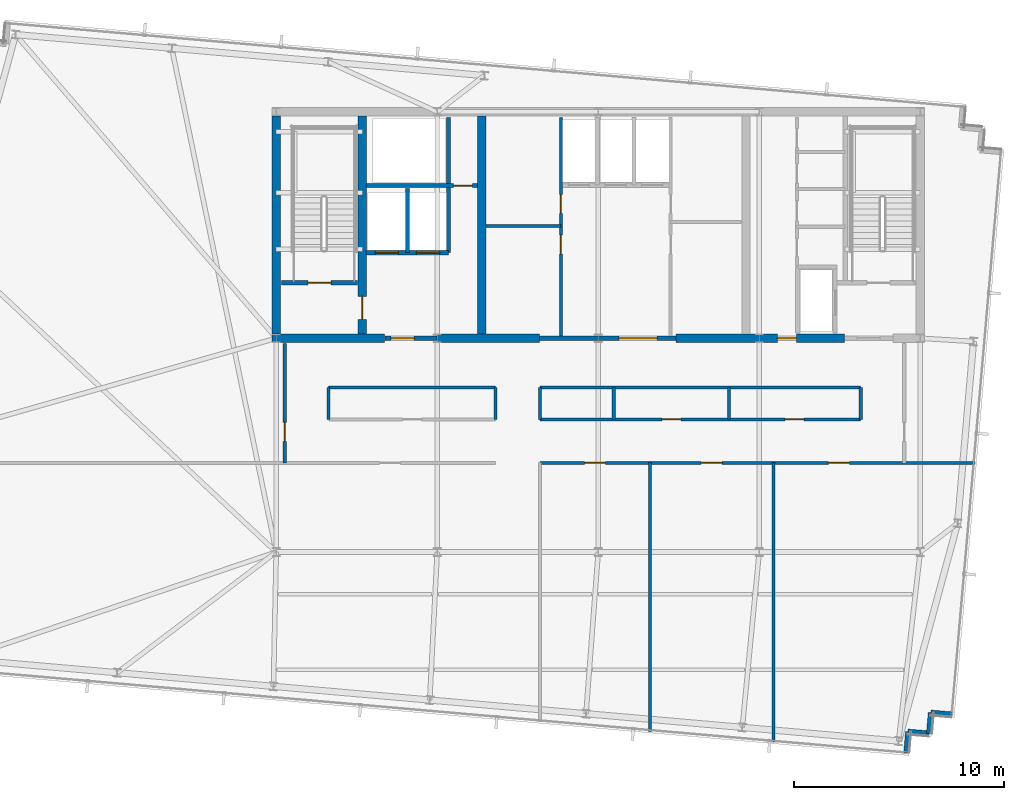
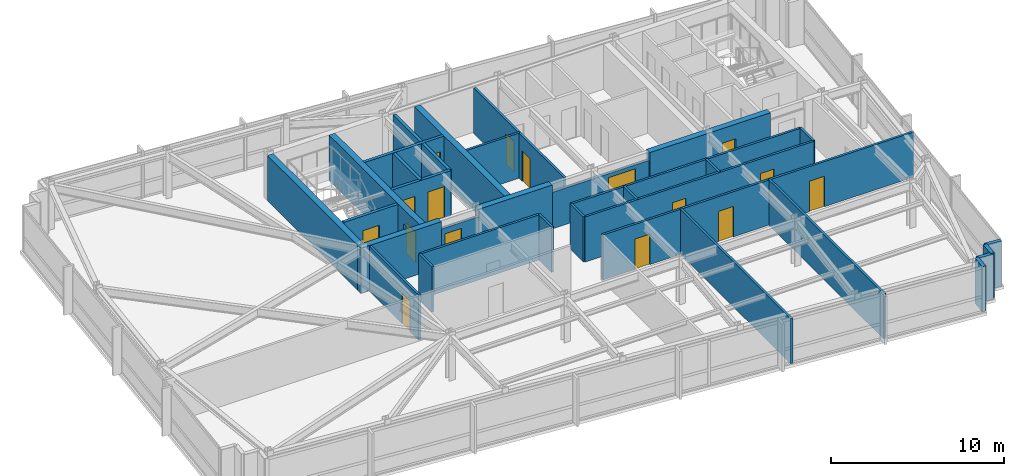
# One storey, part 18 of 24: 32 walls, 16 doors, 16 openings.
"""IFC4 building model written with IfcOpenShell, lengths in metres."""

from ifc_helpers import new_model, si_unit, direction, frame, frame_2d, origin, place, context, subcontext, project, spatial, rectangle, extrude, material, layer, layer_set, type_object, element, fill, save


model = new_model("IFC4")

# Units and contexts
model_context = context("Model", 3, precision=1e-05, world=origin(), true_north=direction((0.0, 1.0)))
body_context = subcontext(model_context, "Body", "Model", "MODEL_VIEW")
ifc_project = project(units=[si_unit("LENGTHUNIT", "METRE"), si_unit("AREAUNIT", "SQUARE_METRE"), si_unit("VOLUMEUNIT", "CUBIC_METRE"), si_unit("PLANEANGLEUNIT", "RADIAN"), si_unit("MASSUNIT", "GRAM", prefix="KILO")], contexts=[model_context])

# Site, building, storey
site_placement = place(None, origin())
site = spatial("IfcSite", under=ifc_project, at=site_placement, CompositionType="ELEMENT")
building_placement = place(site_placement, origin())
building = spatial("IfcBuilding", under=site, at=building_placement, Name="Yelkora Congress Tower", CompositionType="ELEMENT")
storey_placement = place(building_placement, frame((0.0, 0.0, 296.5)))
storey = spatial("IfcBuildingStorey", under=building, at=storey_placement, Name="L83", CompositionType="ELEMENT", Elevation=296.5)

# Walls
ifc_material_1 = material(Name="Concrete C50/60", Category="concrete")
ifc_layer_1 = layer(ifc_material_1, 0.39990234375)
ifc_layer_set_1 = layer_set([ifc_layer_1], Name="Concrete C50/60")
wall_type_1 = type_object("IfcWallType", Name="WALL-CORE-INT-400", PredefinedType="SHEAR", material=ifc_layer_set_1)
wall_1_placement = place(storey_placement, frame((22.840087890625, 35.39990234375, 0.0), z_axis=(0.0, 0.0, 1.0), x_axis=(1.0, 0.0, 0.0)))
element("IfcWall", 1, at=wall_1_placement, inside=storey, type_object=wall_type_1, Name="L83 Rear Core South-West Shear Wall", PredefinedType="SHEAR", context=body_context, shape_type="SweptSolid", body=[
    extrude(rectangle(XDim=5.35986328125, YDim=0.39990234375, at=frame_2d((2.679931640625, 0.0))), origin(), (0.0, 0.0, 1.0), 3.179931640625),
])
wall_2_placement = place(storey_placement, frame((30.719970703125, 35.39990234375, 0.0), z_axis=(0.0, 0.0, 1.0), x_axis=(1.0, 0.0, 0.0)))
element("IfcWall", 2, at=wall_2_placement, inside=storey, type_object=wall_type_1, Name="L83 Rear Core South-Center Shear Pier", PredefinedType="SHEAR", context=body_context, shape_type="SweptSolid", body=[
    extrude(rectangle(XDim=4.880126953125, YDim=0.39990234375, at=frame_2d((2.43994140625, 0.0))), origin(), (0.0, 0.0, 1.0), 3.179931640625),
])

# Wall, opening, door
wall_3_placement = place(storey_placement, frame((42.10009765625, 35.39990234375, 0.0), z_axis=(0.0, 0.0, 1.0), x_axis=(1.0, 0.0, 0.0)))
wall_3 = element("IfcWall", 3, at=wall_3_placement, inside=storey, type_object=wall_type_1, Name="L83 Rear Core South-East Shear Wall A", PredefinedType="SHEAR", context=body_context, shape_type="SweptSolid", body=[
    extrude(rectangle(XDim=8.0498046875, YDim=0.39990234375, at=frame_2d((4.02490234375, 0.0))), origin(), (0.0, 0.0, 1.0), 3.179931640625),
])
opening_1_placement = place(wall_3_placement, frame((4.85009765625, 0.0, 0.0)))
opening_1 = element("IfcOpeningElement", 4, at=opening_1_placement, cuts=wall_3, Name="Opening DR-090F6", PredefinedType="OPENING", context=body_context, shape_type="SweptSolid", body=[
    extrude(rectangle(XDim=0.89990234375, YDim=2.14990234375, at=frame_2d((0.449951171875, 1.074951171875))), frame((0.0, 0.2099609375, 0.0), z_axis=(0.0, -1.0, 0.0), x_axis=(1.0, 0.0, 0.0)), (0.0, 0.0, 1.0), 0.419921875),
])
ifc_material_2 = material(Name="Painted steel riser fire door leaf", Category="steel")
door_type_1 = type_object("IfcDoorType", Name="DOOR-FD60-900", OperationType="NOTDEFINED", PredefinedType="DOOR", material=ifc_material_2)
door_1_placement = place(opening_1_placement, origin())
door_1 = element("IfcDoor", 5, at=door_1_placement, inside=storey, type_object=door_type_1, Name="L83 Core Washroom Lobby Door", OperationType="SINGLE_SWING_RIGHT", OverallHeight=2.14990234375, OverallWidth=0.89990234375, PredefinedType="DOOR", context=body_context, shape_type="SweptSolid", body=[
    extrude(rectangle(XDim=0.89990234375, YDim=2.14990234375, at=frame_2d((0.449951171875, 1.074951171875))), frame((0.0, 0.02490234375, 0.0), z_axis=(0.0, -1.0, 0.0), x_axis=(1.0, 0.0, 0.0)), (0.0, 0.0, 1.0), 0.050048828125),
])
fill(opening_1, door_1)

# Wall
wall_4_placement = place(storey_placement, frame((23.0400390625, 35.60009765625, 0.0), z_axis=(0.0, 0.0, 1.0), x_axis=(0.0, 1.0, 0.0)))
element("IfcWall", 6, at=wall_4_placement, inside=storey, type_object=wall_type_1, Name="L83 Rear Core Cross Shear Wall W", PredefinedType="SHEAR", context=body_context, shape_type="SweptSolid", body=[
    extrude(rectangle(XDim=10.39990234375, YDim=0.39990234375, at=frame_2d((5.199951171875, 0.0))), origin(), (0.0, 0.0, 1.0), 3.179931640625),
])

# Wall, opening, door
wall_5_placement = place(storey_placement, frame((27.14990234375, 35.60009765625, 0.0), z_axis=(0.0, 0.0, 1.0), x_axis=(0.0, 1.0, 0.0)))
wall_5 = element("IfcWall", 7, at=wall_5_placement, inside=storey, type_object=wall_type_1, Name="L83 Rear Core Cross Shear Wall C1", PredefinedType="SHEAR", context=body_context, shape_type="SweptSolid", body=[
    extrude(rectangle(XDim=10.39990234375, YDim=0.39990234375, at=frame_2d((5.199951171875, 0.0))), origin(), (0.0, 0.0, 1.0), 3.179931640625),
])
opening_2_placement = place(wall_5_placement, frame((0.699951171875, 0.0, 0.0)))
opening_2 = element("IfcOpeningElement", 8, at=opening_2_placement, cuts=wall_5, Name="Opening DR-110F9", PredefinedType="OPENING", context=body_context, shape_type="SweptSolid", body=[
    extrude(rectangle(XDim=1.10009765625, YDim=2.14990234375, at=frame_2d((0.550048828125, 1.074951171875))), frame((0.0, 0.2099609375, 0.0), z_axis=(0.0, -1.0, 0.0), x_axis=(1.0, 0.0, 0.0)), (0.0, 0.0, 1.0), 0.419921875),
])
ifc_material_3 = material(Name="Galvanised steel fire door leaf", Category="steel")
door_type_2 = type_object("IfcDoorType", Name="DOOR-FD90-1100", OperationType="NOTDEFINED", PredefinedType="DOOR", material=ifc_material_3)
door_2_placement = place(opening_2_placement, origin())
door_2 = element("IfcDoor", 9, at=door_2_placement, inside=storey, type_object=door_type_2, Name="L83 Firefighting Stair Transfer Door", OperationType="SINGLE_SWING_LEFT", OverallHeight=2.14990234375, OverallWidth=1.10009765625, PredefinedType="DOOR", context=body_context, shape_type="SweptSolid", body=[
    extrude(rectangle(XDim=1.10009765625, YDim=2.14990234375, at=frame_2d((0.550048828125, 1.074951171875))), frame((0.0, 0.02490234375, 0.0), z_axis=(0.0, -1.0, 0.0), x_axis=(1.0, 0.0, 0.0)), (0.0, 0.0, 1.0), 0.050048828125),
])
fill(opening_2, door_2)

# Walls
wall_6_placement = place(storey_placement, frame((32.85009765625, 35.60009765625, 0.0), z_axis=(0.0, 0.0, 1.0), x_axis=(0.0, 1.0, 0.0)))
element("IfcWall", 10, at=wall_6_placement, inside=storey, type_object=wall_type_1, Name="L83 Rear Core Cross Shear Wall C2", PredefinedType="SHEAR", context=body_context, shape_type="SweptSolid", body=[
    extrude(rectangle(XDim=10.39990234375, YDim=0.39990234375, at=frame_2d((5.199951171875, 0.0))), origin(), (0.0, 0.0, 1.0), 3.179931640625),
])
ifc_material_4 = material(Name="Concrete C40/50", Category="concrete")
ifc_layer_2 = layer(ifc_material_4, 0.239990234375)
ifc_layer_set_2 = layer_set([ifc_layer_2], Name="Concrete C40/50")
wall_type_2 = type_object("IfcWallType", Name="WALL-EXT-LIMESTONE-240", PredefinedType="SOLIDWALL", material=ifc_layer_set_2)
for number, where, z_axis, x_axis, name in (
    (11, (55.2578125, 17.458740234375, 0.0), (0.0, 0.0, 1.0), (-0.996193717496, 0.087166950281, 0.0), "L83 Serrated Corner Limestone Pier 16"),
    (12, (54.26171875, 17.5458984375, 0.0), (0.0, 0.0, 1.0), (-0.087166950281, -0.996193717496, 0.0), "L83 Serrated Corner Limestone Pier 17"),
):
    element("IfcWall", number, at=place(storey_placement, frame(where, z_axis=z_axis, x_axis=x_axis)), inside=storey, type_object=wall_type_2, Name=name, PredefinedType="SOLIDWALL", context=body_context, shape_type="SweptSolid", body=[
        extrude(rectangle(XDim=1.0, YDim=0.239990234375, at=frame_2d((0.5, 0.0))), origin(), (0.0, 0.0, 1.0), 3.179931640625),
    ])
for number, where, z_axis, x_axis, name in (
    (13, (54.174560546875, 16.5498046875, 0.0), (0.0, 0.0, 1.0), (-0.996195572005, 0.087145753297, 0.0), "L83 Serrated Corner Limestone Pier 18"),
    (14, (53.17822265625, 16.636962890625, 0.0), (0.0, 0.0, 1.0), (-0.087145753297, -0.996195572005, 0.0), "L83 Serrated Corner Limestone Pier 19"),
):
    element("IfcWall", number, at=place(storey_placement, frame(where, z_axis=z_axis, x_axis=x_axis)), inside=storey, type_object=wall_type_2, Name=name, PredefinedType="SOLIDWALL", context=body_context, shape_type="SweptSolid", body=[
        extrude(rectangle(XDim=1.000244140625, YDim=0.239990234375, at=frame_2d((0.5, 0.0))), origin(), (0.0, 0.0, 1.0), 3.179931640625),
    ])
ifc_material_5 = material(Name="Acoustic metal-stud gypsum partition", Category="gypsum")
ifc_layer_3 = layer(ifc_material_5, 0.14990234375)
ifc_layer_set_3 = layer_set([ifc_layer_3], Name="Acoustic metal-stud gypsum partition")
wall_type_3 = type_object("IfcWallType", Name="WALL-INT-150-NR", PredefinedType="PARTITIONING", material=ifc_layer_set_3)
wall_7_placement = place(storey_placement, frame((40.862060546875, 16.650390625, 0.0), z_axis=(0.0, 0.0, 1.0), x_axis=(0.0, 1.0, 0.0)))
element("IfcWall", 15, at=wall_7_placement, inside=storey, type_object=wall_type_3, Name="L83 Partition Wall 25", PredefinedType="PARTITIONING", context=body_context, shape_type="SweptSolid", body=[
    extrude(rectangle(XDim=12.819580078125, YDim=0.14990234375, at=frame_2d((6.40966796875, 0.0))), origin(), (0.0, 0.0, 1.0), 3.179931640625),
])
wall_8_placement = place(storey_placement, frame((46.760986328125, 16.13427734375, 0.0), z_axis=(0.0, 0.0, 1.0), x_axis=(0.0, 1.0, 0.0)))
element("IfcWall", 16, at=wall_8_placement, inside=storey, type_object=wall_type_3, Name="L83 Partition Wall 26", PredefinedType="PARTITIONING", context=body_context, shape_type="SweptSolid", body=[
    extrude(rectangle(XDim=13.335693359375, YDim=0.14990234375, at=frame_2d((6.66796875, 0.0))), origin(), (0.0, 0.0, 1.0), 3.179931640625),
])

# Wall, openings, doors
wall_9_placement = place(storey_placement, frame((35.6201171875, 29.449951171875, 0.0), z_axis=(0.0, 0.0, 1.0), x_axis=(1.0, 0.0, 0.0)))
wall_9 = element("IfcWall", 17, at=wall_9_placement, inside=storey, type_object=wall_type_3, Name="L83 South Spine Wall East", PredefinedType="PARTITIONING", context=body_context, shape_type="SweptSolid", body=[
    extrude(rectangle(XDim=20.7470703125, YDim=0.14990234375, at=frame_2d((10.37353515625, 0.0))), origin(), (0.0, 0.0, 1.0), 3.179931640625),
])
opening_3_placement = place(wall_9_placement, frame((2.1259765625, 0.0, 0.0)))
opening_3 = element("IfcOpeningElement", 18, at=opening_3_placement, cuts=wall_9, Name="Opening DR-100N", PredefinedType="OPENING", context=body_context, shape_type="SweptSolid", body=[
    extrude(rectangle(XDim=1.0, YDim=2.14990234375, at=frame_2d((0.5, 1.074951171875))), frame((0.0, 0.0849609375, 0.0), z_axis=(0.0, -1.0, 0.0), x_axis=(1.0, 0.0, 0.0)), (0.0, 0.0, 1.0), 0.169921875),
])
opening_4_placement = place(wall_9_placement, frame((7.69140625, 0.0, 0.0)))
opening_4 = element("IfcOpeningElement", 19, at=opening_4_placement, cuts=wall_9, Name="Opening DR-100N", PredefinedType="OPENING", context=body_context, shape_type="SweptSolid", body=[
    extrude(rectangle(XDim=1.0, YDim=2.14990234375, at=frame_2d((0.5, 1.074951171875))), frame((0.0, 0.0849609375, 0.0), z_axis=(0.0, -1.0, 0.0), x_axis=(1.0, 0.0, 0.0)), (0.0, 0.0, 1.0), 0.169921875),
])
opening_5_placement = place(wall_9_placement, frame((13.760498046875, 0.0, 0.0)))
opening_5 = element("IfcOpeningElement", 20, at=opening_5_placement, cuts=wall_9, Name="Opening DR-100N", PredefinedType="OPENING", context=body_context, shape_type="SweptSolid", body=[
    extrude(rectangle(XDim=1.0, YDim=2.14990234375, at=frame_2d((0.5, 1.074951171875))), frame((0.0, 0.0849609375, 0.0), z_axis=(0.0, -1.0, 0.0), x_axis=(1.0, 0.0, 0.0)), (0.0, 0.0, 1.0), 0.169921875),
])
ifc_material_6 = material(Name="Solid-core Anatolian oak veneer door", Category="wood")
door_type_3 = type_object("IfcDoorType", Name="DOOR-INT-1000", OperationType="NOTDEFINED", PredefinedType="DOOR", material=ifc_material_6)
door_3_placement = place(opening_3_placement, origin())
door_3 = element("IfcDoor", 21, at=door_3_placement, inside=storey, type_object=door_type_3, Name="L83 Diplomatic Banquet Room Door", OperationType="SINGLE_SWING_RIGHT", OverallHeight=2.14990234375, OverallWidth=1.0, PredefinedType="DOOR", context=body_context, shape_type="SweptSolid", body=[
    extrude(rectangle(XDim=1.0, YDim=2.14990234375, at=frame_2d((0.5, 1.074951171875))), frame((0.0, 0.02490234375, 0.0), z_axis=(0.0, -1.0, 0.0), x_axis=(1.0, 0.0, 0.0)), (0.0, 0.0, 1.0), 0.050048828125),
])
fill(opening_3, door_3)
door_4_placement = place(opening_4_placement, origin())
door_4 = element("IfcDoor", 22, at=door_4_placement, inside=storey, type_object=door_type_3, Name="L83 Summit Press Studio Door", OperationType="SINGLE_SWING_LEFT", OverallHeight=2.14990234375, OverallWidth=1.0, PredefinedType="DOOR", context=body_context, shape_type="SweptSolid", body=[
    extrude(rectangle(XDim=1.0, YDim=2.14990234375, at=frame_2d((0.5, 1.074951171875))), frame((0.0, 0.02490234375, 0.0), z_axis=(0.0, -1.0, 0.0), x_axis=(1.0, 0.0, 0.0)), (0.0, 0.0, 1.0), 0.050048828125),
])
fill(opening_4, door_4)
door_5_placement = place(opening_5_placement, origin())
door_5 = element("IfcDoor", 23, at=door_5_placement, inside=storey, type_object=door_type_3, Name="L83 Finishing Kitchen Door", OperationType="SINGLE_SWING_RIGHT", OverallHeight=2.14990234375, OverallWidth=1.0, PredefinedType="DOOR", context=body_context, shape_type="SweptSolid", body=[
    extrude(rectangle(XDim=1.0, YDim=2.14990234375, at=frame_2d((0.5, 1.074951171875))), frame((0.0, 0.02490234375, 0.0), z_axis=(0.0, -1.0, 0.0), x_axis=(1.0, 0.0, 0.0)), (0.0, 0.0, 1.0), 0.050048828125),
])
fill(opening_5, door_5)

# Wall, opening, door
wall_10_placement = place(storey_placement, frame((23.449951171875, 29.449951171875, 0.0), z_axis=(0.0, 0.0, 1.0), x_axis=(0.0, 1.0, 0.0)))
wall_10 = element("IfcWall", 24, at=wall_10_placement, inside=storey, type_object=wall_type_3, Name="L83 Partition Wall 29", PredefinedType="PARTITIONING", context=body_context, shape_type="SweptSolid", body=[
    extrude(rectangle(XDim=5.68994140625, YDim=0.14990234375, at=frame_2d((2.844970703125, 0.0))), origin(), (0.0, 0.0, 1.0), 3.179931640625),
])
opening_6_placement = place(wall_10_placement, frame((1.030029296875, 0.0, 0.0)))
opening_6 = element("IfcOpeningElement", 25, at=opening_6_placement, cuts=wall_10, Name="Opening DR-090N", PredefinedType="OPENING", context=body_context, shape_type="SweptSolid", body=[
    extrude(rectangle(XDim=0.89990234375, YDim=2.14990234375, at=frame_2d((0.449951171875, 1.074951171875))), frame((0.0, 0.0849609375, 0.0), z_axis=(0.0, -1.0, 0.0), x_axis=(1.0, 0.0, 0.0)), (0.0, 0.0, 1.0), 0.169921875),
])
ifc_material_7 = material(Name="Moisture-resistant laminate door leaf", Category="wood")
door_type_4 = type_object("IfcDoorType", Name="DOOR-INT-900", OperationType="NOTDEFINED", PredefinedType="DOOR", material=ifc_material_7)
door_6_placement = place(opening_6_placement, origin())
door_6 = element("IfcDoor", 26, at=door_6_placement, inside=storey, type_object=door_type_4, Name="L83 W Wing Door", OperationType="SINGLE_SWING_LEFT", OverallHeight=2.14990234375, OverallWidth=0.89990234375, PredefinedType="DOOR", context=body_context, shape_type="SweptSolid", body=[
    extrude(rectangle(XDim=0.89990234375, YDim=2.14990234375, at=frame_2d((0.449951171875, 1.074951171875))), frame((0.0, 0.02490234375, 0.0), z_axis=(0.0, -1.0, 0.0), x_axis=(1.0, 0.0, 0.0)), (0.0, 0.0, 1.0), 0.050048828125),
])
fill(opening_6, door_6)

# Walls
for number, where, z_axis, x_axis, name in (
    (27, (25.530029296875, 31.530029296875, 0.0), (0.0, 0.0, 1.0), (0.0, 1.0, 0.0), "L83 Partition Wall 31"),
    (28, (50.919921875, 31.530029296875, 0.0), (0.0, 0.0, 1.0), (0.0, 1.0, 0.0), "L83 Partition Wall 32"),
    (29, (33.5, 31.530029296875, 0.0), (0.0, 0.0, 1.0), (0.0, 1.0, 0.0), "L83 Partition Wall 33"),
    (30, (35.6201171875, 31.530029296875, 0.0), (0.0, 0.0, 1.0), (0.0, 1.0, 0.0), "L83 Partition Wall 34"),
):
    element("IfcWall", number, at=place(storey_placement, frame(where, z_axis=z_axis, x_axis=x_axis)), inside=storey, type_object=wall_type_3, Name=name, PredefinedType="PARTITIONING", context=body_context, shape_type="SweptSolid", body=[
        extrude(rectangle(XDim=1.52001953125, YDim=0.14990234375, at=frame_2d((0.760009765625, 0.0))), origin(), (0.0, 0.0, 1.0), 3.179931640625),
    ])
wall_11_placement = place(storey_placement, frame((25.530029296875, 33.050048828125, 0.0), z_axis=(0.0, 0.0, 1.0), x_axis=(1.0, 0.0, 0.0)))
element("IfcWall", 31, at=wall_11_placement, inside=storey, type_object=wall_type_3, Name="L83 Partition Wall 35", PredefinedType="PARTITIONING", context=body_context, shape_type="SweptSolid", body=[
    extrude(rectangle(XDim=7.969970703125, YDim=0.14990234375, at=frame_2d((3.98486328125, 0.0))), origin(), (0.0, 0.0, 1.0), 3.179931640625),
])
wall_12_placement = place(storey_placement, frame((35.6201171875, 33.050048828125, 0.0), z_axis=(0.0, 0.0, 1.0), x_axis=(1.0, 0.0, 0.0)))
element("IfcWall", 32, at=wall_12_placement, inside=storey, type_object=wall_type_3, Name="L83 Partition Wall 36", PredefinedType="PARTITIONING", context=body_context, shape_type="SweptSolid", body=[
    extrude(rectangle(XDim=15.2998046875, YDim=0.14990234375, at=frame_2d((7.64990234375, 0.0))), origin(), (0.0, 0.0, 1.0), 3.179931640625),
])
for number, where, z_axis, x_axis, name in (
    (33, (39.14208984375, 31.530029296875, 0.0), (0.0, 0.0, 1.0), (0.0, 1.0, 0.0), "L83 Partition Wall 38"),
    (34, (44.638916015625, 31.530029296875, 0.0), (0.0, 0.0, 1.0), (0.0, 1.0, 0.0), "L83 Partition Wall 39"),
):
    element("IfcWall", number, at=place(storey_placement, frame(where, z_axis=z_axis, x_axis=x_axis)), inside=storey, type_object=wall_type_3, Name=name, PredefinedType="PARTITIONING", context=body_context, shape_type="SweptSolid", body=[
        extrude(rectangle(XDim=1.52001953125, YDim=0.14990234375, at=frame_2d((0.760009765625, 0.0))), origin(), (0.0, 0.0, 1.0), 3.179931640625),
    ])

# Wall, openings, doors
wall_13_placement = place(storey_placement, frame((35.6298828125, 31.530029296875, 0.0), z_axis=(0.0, 0.0, 1.0), x_axis=(1.0, 0.0, 0.0)))
wall_13 = element("IfcWall", 35, at=wall_13_placement, inside=storey, type_object=wall_type_3, Name="L83 Partition Wall 40", PredefinedType="PARTITIONING", context=body_context, shape_type="SweptSolid", body=[
    extrude(rectangle(XDim=15.27001953125, YDim=0.14990234375, at=frame_2d((7.635009765625, 0.0))), origin(), (0.0, 0.0, 1.0), 3.179931640625),
])
opening_7_placement = place(wall_13_placement, frame((5.810546875, 0.0, 0.0)))
opening_7 = element("IfcOpeningElement", 36, at=opening_7_placement, cuts=wall_13, Name="Opening DR-090N", PredefinedType="OPENING", context=body_context, shape_type="SweptSolid", body=[
    extrude(rectangle(XDim=0.89990234375, YDim=2.14990234375, at=frame_2d((0.449951171875, 1.074951171875))), frame((0.0, 0.0849609375, 0.0), z_axis=(0.0, -1.0, 0.0), x_axis=(1.0, 0.0, 0.0)), (0.0, 0.0, 1.0), 0.169921875),
])
opening_8_placement = place(wall_13_placement, frame((11.689453125, 0.0, 0.0)))
opening_8 = element("IfcOpeningElement", 37, at=opening_8_placement, cuts=wall_13, Name="Opening DR-090N", PredefinedType="OPENING", context=body_context, shape_type="SweptSolid", body=[
    extrude(rectangle(XDim=0.89990234375, YDim=2.14990234375, at=frame_2d((0.449951171875, 1.074951171875))), frame((0.0, 0.0849609375, 0.0), z_axis=(0.0, -1.0, 0.0), x_axis=(1.0, 0.0, 0.0)), (0.0, 0.0, 1.0), 0.169921875),
])
door_7_placement = place(opening_7_placement, origin())
door_7 = element("IfcDoor", 38, at=door_7_placement, inside=storey, type_object=door_type_4, Name="L83 Staff Operations Room Door", OperationType="SINGLE_SWING_RIGHT", OverallHeight=2.14990234375, OverallWidth=0.89990234375, PredefinedType="DOOR", context=body_context, shape_type="SweptSolid", body=[
    extrude(rectangle(XDim=0.89990234375, YDim=2.14990234375, at=frame_2d((0.449951171875, 1.074951171875))), frame((0.0, 0.02490234375, 0.0), z_axis=(0.0, -1.0, 0.0), x_axis=(1.0, 0.0, 0.0)), (0.0, 0.0, 1.0), 0.050048828125),
])
fill(opening_7, door_7)
door_8_placement = place(opening_8_placement, origin())
door_8 = element("IfcDoor", 39, at=door_8_placement, inside=storey, type_object=door_type_4, Name="L83 Security Control Room Door", OperationType="SINGLE_SWING_LEFT", OverallHeight=2.14990234375, OverallWidth=0.89990234375, PredefinedType="DOOR", context=body_context, shape_type="SweptSolid", body=[
    extrude(rectangle(XDim=0.89990234375, YDim=2.14990234375, at=frame_2d((0.449951171875, 1.074951171875))), frame((0.0, 0.02490234375, 0.0), z_axis=(0.0, -1.0, 0.0), x_axis=(1.0, 0.0, 0.0)), (0.0, 0.0, 1.0), 0.050048828125),
])
fill(opening_8, door_8)

# Wall
ifc_material_8 = material(Name="Twin-stud fire-rated gypsum partition", Category="gypsum")
ifc_layer_4 = layer(ifc_material_8, 0.14990234375)
ifc_layer_set_4 = layer_set([ifc_layer_4], Name="Twin-stud fire-rated gypsum partition")
wall_type_4 = type_object("IfcWallType", Name="WALL-INT-150-R60", PredefinedType="PARTITIONING", material=ifc_layer_set_4)
wall_14_placement = place(storey_placement, frame((33.050048828125, 40.75, 0.0), z_axis=(0.0, 0.0, 1.0), x_axis=(1.0, 0.0, 0.0)))
element("IfcWall", 40, at=wall_14_placement, inside=storey, type_object=wall_type_4, Name="L83 Partition Wall 11", PredefinedType="PARTITIONING", context=body_context, shape_type="SweptSolid", body=[
    extrude(rectangle(XDim=3.570068359375, YDim=0.14990234375, at=frame_2d((1.78515625, 0.0))), origin(), (0.0, 0.0, 1.0), 3.179931640625),
])

# Wall, openings, doors
wall_15_placement = place(storey_placement, frame((36.6201171875, 35.5, 0.0), z_axis=(0.0, 0.0, 1.0), x_axis=(0.0, 1.0, 0.0)))
wall_15 = element("IfcWall", 41, at=wall_15_placement, inside=storey, type_object=wall_type_4, Name="L83 Partition Wall 12", PredefinedType="PARTITIONING", context=body_context, shape_type="SweptSolid", body=[
    extrude(rectangle(XDim=10.419921875, YDim=0.14990234375, at=frame_2d((5.2099609375, 0.0))), origin(), (0.0, 0.0, 1.0), 3.179931640625),
])
opening_9_placement = place(wall_15_placement, frame((3.919921875, 0.0, 0.0)))
opening_9 = element("IfcOpeningElement", 42, at=opening_9_placement, cuts=wall_15, Name="Opening DR-090F6", PredefinedType="OPENING", context=body_context, shape_type="SweptSolid", body=[
    extrude(rectangle(XDim=0.89990234375, YDim=2.14990234375, at=frame_2d((0.449951171875, 1.074951171875))), frame((0.0, 0.0849609375, 0.0), z_axis=(0.0, -1.0, 0.0), x_axis=(1.0, 0.0, 0.0)), (0.0, 0.0, 1.0), 0.169921875),
])
opening_10_placement = place(wall_15_placement, frame((5.85009765625, 0.0, 0.0)))
opening_10 = element("IfcOpeningElement", 43, at=opening_10_placement, cuts=wall_15, Name="Opening DR-090F6", PredefinedType="OPENING", context=body_context, shape_type="SweptSolid", body=[
    extrude(rectangle(XDim=0.89990234375, YDim=2.14990234375, at=frame_2d((0.449951171875, 1.074951171875))), frame((0.0, 0.0849609375, 0.0), z_axis=(0.0, -1.0, 0.0), x_axis=(1.0, 0.0, 0.0)), (0.0, 0.0, 1.0), 0.169921875),
])
door_9_placement = place(opening_9_placement, origin())
door_9 = element("IfcDoor", 44, at=door_9_placement, inside=storey, type_object=door_type_1, Name="L83 Telecom Store Door", OperationType="SINGLE_SWING_RIGHT", OverallHeight=2.14990234375, OverallWidth=0.89990234375, PredefinedType="DOOR", context=body_context, shape_type="SweptSolid", body=[
    extrude(rectangle(XDim=0.89990234375, YDim=2.14990234375, at=frame_2d((0.449951171875, 1.074951171875))), frame((0.0, 0.02490234375, 0.0), z_axis=(0.0, -1.0, 0.0), x_axis=(1.0, 0.0, 0.0)), (0.0, 0.0, 1.0), 0.050048828125),
])
fill(opening_9, door_9)
door_10_placement = place(opening_10_placement, origin())
door_10 = element("IfcDoor", 45, at=door_10_placement, inside=storey, type_object=door_type_1, Name="L83 Archive Store Door", OperationType="SINGLE_SWING_LEFT", OverallHeight=2.14990234375, OverallWidth=0.89990234375, PredefinedType="DOOR", context=body_context, shape_type="SweptSolid", body=[
    extrude(rectangle(XDim=0.89990234375, YDim=2.14990234375, at=frame_2d((0.449951171875, 1.074951171875))), frame((0.0, 0.02490234375, 0.0), z_axis=(0.0, -1.0, 0.0), x_axis=(1.0, 0.0, 0.0)), (0.0, 0.0, 1.0), 0.050048828125),
])
fill(opening_10, door_10)

# Wall, opening, door
ifc_material_9 = material(Name="Autoclaved aerated concrete blockwork", Category="masonry")
ifc_layer_5 = layer(ifc_material_9, 0.199951171875)
ifc_layer_set_5 = layer_set([ifc_layer_5], Name="Autoclaved aerated concrete blockwork")
wall_type_5 = type_object("IfcWallType", Name="WALL-INT-200-R120", PredefinedType="PARTITIONING", material=ifc_layer_set_5)
wall_16_placement = place(storey_placement, frame((23.300048828125, 38.050048828125, 0.0), z_axis=(0.0, 0.0, 1.0), x_axis=(1.0, 0.0, 0.0)))
wall_16 = element("IfcWall", 46, at=wall_16_placement, inside=storey, type_object=wall_type_5, Name="L83 Stair ST-01 Enclosure Wall", PredefinedType="PARTITIONING", context=body_context, shape_type="SweptSolid", body=[
    extrude(rectangle(XDim=3.619873046875, YDim=0.199951171875, at=frame_2d((1.81005859375, 0.0))), origin(), (0.0, 0.0, 1.0), 3.179931640625),
])
opening_11_placement = place(wall_16_placement, frame((1.260009765625, 0.0, 0.0)))
opening_11 = element("IfcOpeningElement", 47, at=opening_11_placement, cuts=wall_16, Name="Opening DR-110F9", PredefinedType="OPENING", context=body_context, shape_type="SweptSolid", body=[
    extrude(rectangle(XDim=1.10009765625, YDim=2.14990234375, at=frame_2d((0.550048828125, 1.074951171875))), frame((0.0, 0.10986328125, 0.0), z_axis=(0.0, -1.0, 0.0), x_axis=(1.0, 0.0, 0.0)), (0.0, 0.0, 1.0), 0.219970703125),
])
door_11_placement = place(opening_11_placement, origin())
door_11 = element("IfcDoor", 48, at=door_11_placement, inside=storey, type_object=door_type_2, Name="L83 Stair ST-01 Entry Door", OperationType="SINGLE_SWING_LEFT", OverallHeight=2.14990234375, OverallWidth=1.10009765625, PredefinedType="DOOR", context=body_context, shape_type="SweptSolid", body=[
    extrude(rectangle(XDim=1.10009765625, YDim=2.14990234375, at=frame_2d((0.550048828125, 1.074951171875))), frame((0.0, 0.02490234375, 0.0), z_axis=(0.0, -1.0, 0.0), x_axis=(1.0, 0.0, 0.0)), (0.0, 0.0, 1.0), 0.050048828125),
])
fill(opening_11, door_11)

wall_17_placement = place(storey_placement, frame((28.219970703125, 35.39990234375, 0.0), z_axis=(0.0, 0.0, 1.0), x_axis=(1.0, 0.0, 0.0)))
wall_17 = element("IfcWall", 49, at=wall_17_placement, inside=storey, type_object=wall_type_5, Name="L83 Firefighting Lobby South Wall", PredefinedType="PARTITIONING", context=body_context, shape_type="SweptSolid", body=[
    extrude(rectangle(XDim=2.5, YDim=0.199951171875, at=frame_2d((1.25, 0.0))), origin(), (0.0, 0.0, 1.0), 2.574951171875),
])
opening_12_placement = place(wall_17_placement, frame((0.300048828125, 0.0, 0.0)))
opening_12 = element("IfcOpeningElement", 50, at=opening_12_placement, cuts=wall_17, Name="Opening DR-110F9", PredefinedType="OPENING", context=body_context, shape_type="SweptSolid", body=[
    extrude(rectangle(XDim=1.10009765625, YDim=2.14990234375, at=frame_2d((0.550048828125, 1.074951171875))), frame((0.0, 0.10986328125, 0.0), z_axis=(0.0, -1.0, 0.0), x_axis=(1.0, 0.0, 0.0)), (0.0, 0.0, 1.0), 0.219970703125),
])
door_12_placement = place(opening_12_placement, origin())
door_12 = element("IfcDoor", 51, at=door_12_placement, inside=storey, type_object=door_type_2, Name="L83 Firefighting Lobby Corridor Door", OperationType="SINGLE_SWING_RIGHT", OverallHeight=2.14990234375, OverallWidth=1.10009765625, PredefinedType="DOOR", context=body_context, shape_type="SweptSolid", body=[
    extrude(rectangle(XDim=1.10009765625, YDim=2.14990234375, at=frame_2d((0.550048828125, 1.074951171875))), frame((0.0, 0.02490234375, 0.0), z_axis=(0.0, -1.0, 0.0), x_axis=(1.0, 0.0, 0.0)), (0.0, 0.0, 1.0), 0.050048828125),
])
fill(opening_12, door_12)

# Wall, openings, doors
wall_18_placement = place(storey_placement, frame((27.320068359375, 39.47998046875, 0.0), z_axis=(0.0, 0.0, 1.0), x_axis=(1.0, 0.0, 0.0)))
wall_18 = element("IfcWall", 52, at=wall_18_placement, inside=storey, type_object=wall_type_5, Name="L83 Firefighting Lift Front Wall", PredefinedType="PARTITIONING", context=body_context, shape_type="SweptSolid", body=[
    extrude(rectangle(XDim=3.93994140625, YDim=0.199951171875, at=frame_2d((1.969970703125, 0.0))), origin(), (0.0, 0.0, 1.0), 3.179931640625),
])
opening_13_placement = place(wall_18_placement, frame((0.449951171875, 0.0, 0.0)))
opening_13 = element("IfcOpeningElement", 53, at=opening_13_placement, cuts=wall_18, Name="Opening LD-FF11", PredefinedType="OPENING", context=body_context, shape_type="SweptSolid", body=[
    extrude(rectangle(XDim=1.10009765625, YDim=2.199951171875, at=frame_2d((0.550048828125, 1.10009765625))), frame((0.0, 0.10986328125, 0.0), z_axis=(0.0, -1.0, 0.0), x_axis=(1.0, 0.0, 0.0)), (0.0, 0.0, 1.0), 0.219970703125),
])
opening_14_placement = place(wall_18_placement, frame((2.409912109375, 0.0, 0.0)))
opening_14 = element("IfcOpeningElement", 54, at=opening_14_placement, cuts=wall_18, Name="Opening LD-FF11", PredefinedType="OPENING", context=body_context, shape_type="SweptSolid", body=[
    extrude(rectangle(XDim=1.10009765625, YDim=2.199951171875, at=frame_2d((0.550048828125, 1.10009765625))), frame((0.0, 0.10986328125, 0.0), z_axis=(0.0, -1.0, 0.0), x_axis=(1.0, 0.0, 0.0)), (0.0, 0.0, 1.0), 0.219970703125),
])
ifc_material_10 = material(Name="Brushed stainless steel 316L landing door", Category="steel")
door_type_5 = type_object("IfcDoorType", Name="DOOR-LIFT-FF-1100", OperationType="DOUBLE_DOOR_SLIDING", PredefinedType="DOOR", material=ifc_material_10)
door_13_placement = place(opening_13_placement, origin())
door_13 = element("IfcDoor", 55, at=door_13_placement, inside=storey, type_object=door_type_5, Name="Lift Landing Door LF-FF1 L83", OperationType="DOUBLE_DOOR_SLIDING", OverallHeight=2.199951171875, OverallWidth=1.10009765625, PredefinedType="DOOR", context=body_context, shape_type="SweptSolid", body=[
    extrude(rectangle(XDim=1.10009765625, YDim=2.199951171875, at=frame_2d((0.550048828125, 1.10009765625))), frame((0.0, 0.02490234375, 0.0), z_axis=(0.0, -1.0, 0.0), x_axis=(1.0, 0.0, 0.0)), (0.0, 0.0, 1.0), 0.050048828125),
])
fill(opening_13, door_13)
door_14_placement = place(opening_14_placement, origin())
door_14 = element("IfcDoor", 56, at=door_14_placement, inside=storey, type_object=door_type_5, Name="Lift Landing Door LF-FF2 L83", OperationType="DOUBLE_DOOR_SLIDING", OverallHeight=2.199951171875, OverallWidth=1.10009765625, PredefinedType="DOOR", context=body_context, shape_type="SweptSolid", body=[
    extrude(rectangle(XDim=1.10009765625, YDim=2.199951171875, at=frame_2d((0.550048828125, 1.10009765625))), frame((0.0, 0.02490234375, 0.0), z_axis=(0.0, -1.0, 0.0), x_axis=(1.0, 0.0, 0.0)), (0.0, 0.0, 1.0), 0.050048828125),
])
fill(opening_14, door_14)

# Walls
wall_19_placement = place(storey_placement, frame((29.300048828125, 39.47998046875, 0.0), z_axis=(0.0, 0.0, 1.0), x_axis=(0.0, 1.0, 0.0)))
element("IfcWall", 57, at=wall_19_placement, inside=storey, type_object=wall_type_5, Name="L83 Partition Wall 4", PredefinedType="PARTITIONING", context=body_context, shape_type="SweptSolid", body=[
    extrude(rectangle(XDim=3.070068359375, YDim=0.199951171875, at=frame_2d((1.53515625, 0.0))), origin(), (0.0, 0.0, 1.0), 3.179931640625),
])
wall_20_placement = place(storey_placement, frame((31.260009765625, 39.47998046875, 0.0), z_axis=(0.0, 0.0, 1.0), x_axis=(0.0, 1.0, 0.0)))
element("IfcWall", 58, at=wall_20_placement, inside=storey, type_object=wall_type_5, Name="L83 Partition Wall 5", PredefinedType="PARTITIONING", context=body_context, shape_type="SweptSolid", body=[
    extrude(rectangle(XDim=6.43994140625, YDim=0.199951171875, at=frame_2d((3.219970703125, 0.0))), origin(), (0.0, 0.0, 1.0), 3.179931640625),
])

# Wall, opening, door
wall_21_placement = place(storey_placement, frame((27.320068359375, 42.679931640625, 0.0), z_axis=(0.0, 0.0, 1.0), x_axis=(1.0, 0.0, 0.0)))
wall_21 = element("IfcWall", 59, at=wall_21_placement, inside=storey, type_object=wall_type_5, Name="L83 Smoke Riser South Wall", PredefinedType="PARTITIONING", context=body_context, shape_type="SweptSolid", body=[
    extrude(rectangle(XDim=5.329833984375, YDim=0.199951171875, at=frame_2d((2.6650390625, 0.0))), origin(), (0.0, 0.0, 1.0), 3.179931640625),
])
opening_15_placement = place(wall_21_placement, frame((4.179931640625, 0.0, 0.0)))
opening_15 = element("IfcOpeningElement", 60, at=opening_15_placement, cuts=wall_21, Name="Opening DR-090F6", PredefinedType="OPENING", context=body_context, shape_type="SweptSolid", body=[
    extrude(rectangle(XDim=0.89990234375, YDim=2.14990234375, at=frame_2d((0.449951171875, 1.074951171875))), frame((0.0, 0.10986328125, 0.0), z_axis=(0.0, -1.0, 0.0), x_axis=(1.0, 0.0, 0.0)), (0.0, 0.0, 1.0), 0.219970703125),
])
door_15_placement = place(opening_15_placement, origin())
door_15 = element("IfcDoor", 61, at=door_15_placement, inside=storey, type_object=door_type_1, Name="L83 Riser Access Door", OperationType="SINGLE_SWING_LEFT", OverallHeight=2.14990234375, OverallWidth=0.89990234375, PredefinedType="DOOR", context=body_context, shape_type="SweptSolid", body=[
    extrude(rectangle(XDim=0.89990234375, YDim=2.14990234375, at=frame_2d((0.449951171875, 1.074951171875))), frame((0.0, 0.02490234375, 0.0), z_axis=(0.0, -1.0, 0.0), x_axis=(1.0, 0.0, 0.0)), (0.0, 0.0, 1.0), 0.050048828125),
])
fill(opening_15, door_15)

wall_22_placement = place(storey_placement, frame((35.60009765625, 35.39990234375, 0.0), z_axis=(0.0, 0.0, 1.0), x_axis=(1.0, 0.0, 0.0)))
wall_22 = element("IfcWall", 62, at=wall_22_placement, inside=storey, type_object=wall_type_5, Name="L83 Main Lift Lobby South Portal Wall", PredefinedType="PARTITIONING", context=body_context, shape_type="SweptSolid", body=[
    extrude(rectangle(XDim=6.5, YDim=0.199951171875, at=frame_2d((3.25, 0.0))), origin(), (0.0, 0.0, 1.0), 2.574951171875),
])
opening_16_placement = place(wall_22_placement, frame((3.800048828125, 0.0, 0.0)))
opening_16 = element("IfcOpeningElement", 63, at=opening_16_placement, cuts=wall_22, Name="Opening DR-180D", PredefinedType="OPENING", context=body_context, shape_type="SweptSolid", body=[
    extrude(rectangle(XDim=1.800048828125, YDim=2.300048828125, at=frame_2d((0.89990234375, 1.14990234375))), frame((0.0, 0.10986328125, 0.0), z_axis=(0.0, -1.0, 0.0), x_axis=(1.0, 0.0, 0.0)), (0.0, 0.0, 1.0), 0.219970703125),
])
ifc_material_11 = material(Name="Acoustic double congress hall doors", Category="wood")
door_type_6 = type_object("IfcDoorType", Name="DOOR-DBL-1800", OperationType="DOUBLE_DOOR_SINGLE_SWING", PredefinedType="DOOR", material=ifc_material_11)
door_16_placement = place(opening_16_placement, origin())
door_16 = element("IfcDoor", 64, at=door_16_placement, inside=storey, type_object=door_type_6, Name="L83 Main Lift Lobby Portal Door", OperationType="DOUBLE_DOOR_SINGLE_SWING", OverallHeight=2.300048828125, OverallWidth=1.800048828125, PredefinedType="DOOR", context=body_context, shape_type="SweptSolid", body=[
    extrude(rectangle(XDim=1.800048828125, YDim=2.300048828125, at=frame_2d((0.89990234375, 1.14990234375))), frame((0.0, 0.02490234375, 0.0), z_axis=(0.0, -1.0, 0.0), x_axis=(1.0, 0.0, 0.0)), (0.0, 0.0, 1.0), 0.050048828125),
])
fill(opening_16, door_16)

save(model, "model.ifc")
